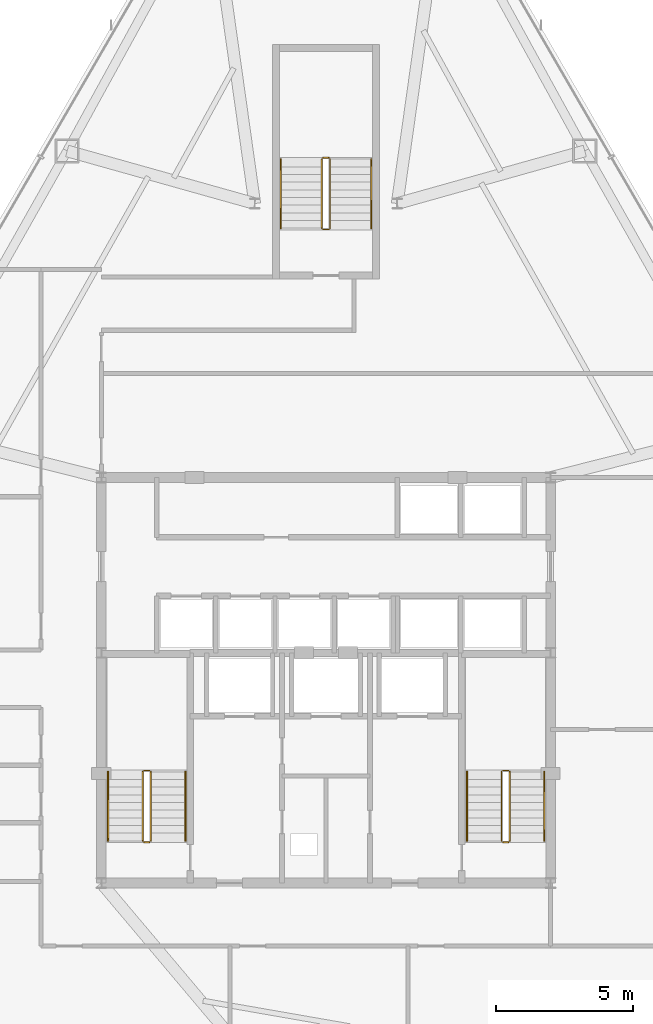
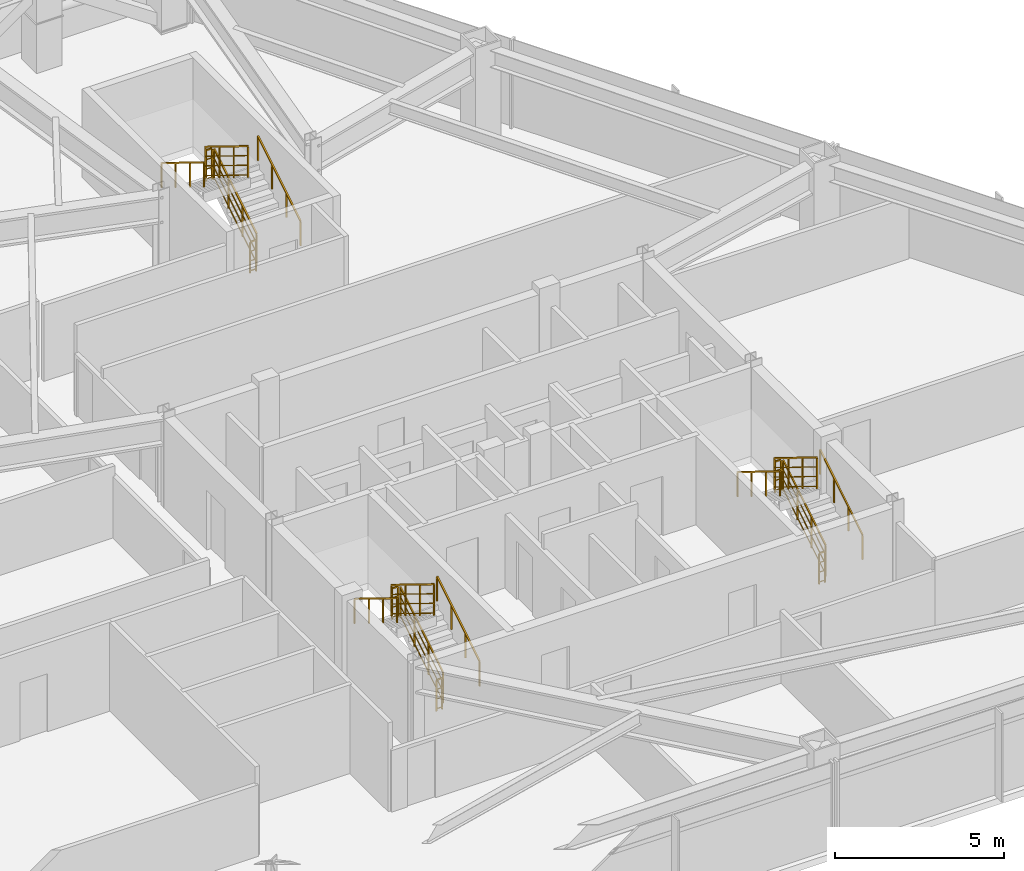
# One storey, part 13 of 13: 18 railings.
"""IFC4 building model written with IfcOpenShell, lengths in metres."""

from ifc_helpers import new_model, si_unit, direction, frame, origin, origin_2d, place, context, subcontext, project, spatial, rectangle, extrude, material, type_object, element, save


model = new_model("IFC4")

# Units and contexts
model_context = context("Model", 3, precision=1e-05, world=origin(), true_north=direction((0.0, 1.0)))
body_context = subcontext(model_context, "Body", "Model", "MODEL_VIEW")
ifc_project = project(units=[si_unit("LENGTHUNIT", "METRE"), si_unit("AREAUNIT", "SQUARE_METRE"), si_unit("VOLUMEUNIT", "CUBIC_METRE"), si_unit("PLANEANGLEUNIT", "RADIAN"), si_unit("MASSUNIT", "GRAM", prefix="KILO")], contexts=[model_context])

# Site, building, storey
site_placement = place(None, origin())
site = spatial("IfcSite", under=ifc_project, at=site_placement, CompositionType="ELEMENT")
building_placement = place(site_placement, origin())
building = spatial("IfcBuilding", under=site, at=building_placement, Name="Varakhsha Concourse Tower", CompositionType="ELEMENT")
storey_placement = place(building_placement, frame((0.0, 0.0, 126.35009765625)))
storey = spatial("IfcBuildingStorey", under=building, at=storey_placement, Name="L36", CompositionType="ELEMENT", Elevation=126.35009765625)

# Railings
ifc_material = material(Name="Brushed Austenitic Stainless Steel AISI 316", Category="steel")
railing_type_1 = type_object("IfcRailingType", Name="RL-STAIR-GUARD-1100", PredefinedType="GUARDRAIL", material=ifc_material)
railing_1_placement = place(storey_placement, frame((33.610107421875, 17.93994140625, 0.17236328125)))
element("IfcRailing", 1, at=railing_1_placement, inside=storey, type_object=railing_type_1, Name="L36 ST1 stair guard 1", PredefinedType="GUARDRAIL", context=body_context, shape_type="SweptSolid", body=[
    extrude(rectangle(XDim=0.048095703125, YDim=0.048095703125, at=origin_2d()), frame((0.0, 0.0, 1.1259765625), z_axis=(0.0, 0.851400495292, 0.524516154772), x_axis=(-1.0, 0.0, 0.0)), (0.0, 0.0, 1.0), 2.9599609375),
    extrude(rectangle(XDim=0.028076171875, YDim=0.028076171875, at=origin_2d()), frame((0.0, 0.0, 0.080078125), z_axis=(0.0, 0.851400495292, 0.524516154772), x_axis=(-1.0, 0.0, 0.0)), (0.0, 0.0, 1.0), 2.9599609375),
    extrude(rectangle(XDim=0.028076171875, YDim=0.028076171875, at=origin_2d()), frame((0.0, 0.0, 0.43701171875), z_axis=(0.0, 0.851400495292, 0.524516154772), x_axis=(-1.0, 0.0, 0.0)), (0.0, 0.0, 1.0), 2.9599609375),
    extrude(rectangle(XDim=0.028076171875, YDim=0.028076171875, at=origin_2d()), frame((0.0, 0.0, 0.781982421875), z_axis=(0.0, 0.851400495292, 0.524516154772), x_axis=(-1.0, 0.0, 0.0)), (0.0, 0.0, 1.0), 2.9599609375),
    extrude(rectangle(XDim=0.0419921875, YDim=0.0419921875, at=origin_2d()), origin(), (0.0, 0.0, 1.0), 1.101806640625),
    extrude(rectangle(XDim=0.0419921875, YDim=0.0419921875, at=origin_2d()), frame((0.0, 0.840087890625, 0.517578125)), (0.0, 0.0, 1.0), 1.101806640625),
    extrude(rectangle(XDim=0.0419921875, YDim=0.0419921875, at=origin_2d()), frame((0.0, 1.679931640625, 1.034912109375)), (0.0, 0.0, 1.0), 1.101806640625),
    extrude(rectangle(XDim=0.0419921875, YDim=0.0419921875, at=origin_2d()), frame((0.0, 2.52001953125, 1.552490234375)), (0.0, 0.0, 1.0), 1.101806640625),
])
railing_2_placement = place(storey_placement, frame((33.56005859375, 20.510009765625, 1.724853515625)))
element("IfcRailing", 2, at=railing_2_placement, inside=storey, type_object=railing_type_1, Name="L36 ST1 stair guard 2", PredefinedType="GUARDRAIL", context=body_context, shape_type="SweptSolid", body=[
    extrude(rectangle(XDim=0.048095703125, YDim=0.048095703125, at=origin_2d()), frame((0.0, 0.0, 1.1259765625), z_axis=(-1.0, 0.0, 0.0), x_axis=(0.0, -1.0, 0.0)), (0.0, 0.0, 1.0), 0.199951171875),
    extrude(rectangle(XDim=0.028076171875, YDim=0.028076171875, at=origin_2d()), frame((0.0, 0.0, 0.080078125), z_axis=(-1.0, 0.0, 0.0), x_axis=(0.0, -1.0, 0.0)), (0.0, 0.0, 1.0), 0.199951171875),
    extrude(rectangle(XDim=0.028076171875, YDim=0.028076171875, at=origin_2d()), frame((0.0, 0.0, 0.43701171875), z_axis=(-1.0, 0.0, 0.0), x_axis=(0.0, -1.0, 0.0)), (0.0, 0.0, 1.0), 0.199951171875),
    extrude(rectangle(XDim=0.028076171875, YDim=0.028076171875, at=origin_2d()), frame((0.0, 0.0, 0.781982421875), z_axis=(-1.0, 0.0, 0.0), x_axis=(0.0, -1.0, 0.0)), (0.0, 0.0, 1.0), 0.199951171875),
    extrude(rectangle(XDim=0.0419921875, YDim=0.0419921875, at=origin_2d()), origin(), (0.0, 0.0, 1.0), 1.101806640625),
    extrude(rectangle(XDim=0.0419921875, YDim=0.0419921875, at=origin_2d()), frame((-0.199951171875, 0.0, 0.0)), (0.0, 0.0, 1.0), 1.101806640625),
])
railing_3_placement = place(storey_placement, frame((33.31005859375, 20.4599609375, 1.8974609375)))
element("IfcRailing", 3, at=railing_3_placement, inside=storey, type_object=railing_type_1, Name="L36 ST1 stair guard 3", PredefinedType="GUARDRAIL", context=body_context, shape_type="SweptSolid", body=[
    extrude(rectangle(XDim=0.048095703125, YDim=0.048095703125, at=origin_2d()), frame((0.0, 0.0, 1.1259765625), z_axis=(0.0, -0.851400495292, 0.524516154772), x_axis=(1.0, 0.0, 0.0)), (0.0, 0.0, 1.0), 2.9599609375),
    extrude(rectangle(XDim=0.028076171875, YDim=0.028076171875, at=origin_2d()), frame((0.0, 0.0, 0.080078125), z_axis=(0.0, -0.851400495292, 0.524516154772), x_axis=(1.0, 0.0, 0.0)), (0.0, 0.0, 1.0), 2.9599609375),
    extrude(rectangle(XDim=0.028076171875, YDim=0.028076171875, at=origin_2d()), frame((0.0, 0.0, 0.43701171875), z_axis=(0.0, -0.851400495292, 0.524516154772), x_axis=(1.0, 0.0, 0.0)), (0.0, 0.0, 1.0), 2.9599609375),
    extrude(rectangle(XDim=0.028076171875, YDim=0.028076171875, at=origin_2d()), frame((0.0, 0.0, 0.781982421875), z_axis=(0.0, -0.851400495292, 0.524516154772), x_axis=(1.0, 0.0, 0.0)), (0.0, 0.0, 1.0), 2.9599609375),
    extrude(rectangle(XDim=0.0419921875, YDim=0.0419921875, at=origin_2d()), origin(), (0.0, 0.0, 1.0), 1.101806640625),
    extrude(rectangle(XDim=0.0419921875, YDim=0.0419921875, at=origin_2d()), frame((0.0, -0.840087890625, 0.517578125)), (0.0, 0.0, 1.0), 1.101806640625),
    extrude(rectangle(XDim=0.0419921875, YDim=0.0419921875, at=origin_2d()), frame((0.0, -1.679931640625, 1.034912109375)), (0.0, 0.0, 1.0), 1.101806640625),
    extrude(rectangle(XDim=0.0419921875, YDim=0.0419921875, at=origin_2d()), frame((0.0, -2.52001953125, 1.552490234375)), (0.0, 0.0, 1.0), 1.101806640625),
])
railing_4_placement = place(storey_placement, frame((33.56005859375, 17.889892578125, 0.0)))
element("IfcRailing", 4, at=railing_4_placement, inside=storey, type_object=railing_type_1, Name="L36 ST1 stair guard 4", PredefinedType="GUARDRAIL", context=body_context, shape_type="SweptSolid", body=[
    extrude(rectangle(XDim=0.048095703125, YDim=0.048095703125, at=origin_2d()), frame((0.0, 0.0, 1.1259765625), z_axis=(-1.0, 0.0, 0.0), x_axis=(0.0, -1.0, 0.0)), (0.0, 0.0, 1.0), 0.199951171875),
    extrude(rectangle(XDim=0.028076171875, YDim=0.028076171875, at=origin_2d()), frame((0.0, 0.0, 0.080078125), z_axis=(-1.0, 0.0, 0.0), x_axis=(0.0, -1.0, 0.0)), (0.0, 0.0, 1.0), 0.199951171875),
    extrude(rectangle(XDim=0.028076171875, YDim=0.028076171875, at=origin_2d()), frame((0.0, 0.0, 0.43701171875), z_axis=(-1.0, 0.0, 0.0), x_axis=(0.0, -1.0, 0.0)), (0.0, 0.0, 1.0), 0.199951171875),
    extrude(rectangle(XDim=0.028076171875, YDim=0.028076171875, at=origin_2d()), frame((0.0, 0.0, 0.781982421875), z_axis=(-1.0, 0.0, 0.0), x_axis=(0.0, -1.0, 0.0)), (0.0, 0.0, 1.0), 0.199951171875),
    extrude(rectangle(XDim=0.0419921875, YDim=0.0419921875, at=origin_2d()), origin(), (0.0, 0.0, 1.0), 1.101806640625),
    extrude(rectangle(XDim=0.0419921875, YDim=0.0419921875, at=origin_2d()), frame((-0.199951171875, 0.0, 0.0)), (0.0, 0.0, 1.0), 1.101806640625),
])
railing_5_placement = place(storey_placement, frame((46.7099609375, 17.93994140625, 0.17236328125)))
element("IfcRailing", 5, at=railing_5_placement, inside=storey, type_object=railing_type_1, Name="L36 ST2 stair guard 1", PredefinedType="GUARDRAIL", context=body_context, shape_type="SweptSolid", body=[
    extrude(rectangle(XDim=0.048095703125, YDim=0.048095703125, at=origin_2d()), frame((0.0, 0.0, 1.1259765625), z_axis=(0.0, 0.851400495292, 0.524516154772), x_axis=(-1.0, 0.0, 0.0)), (0.0, 0.0, 1.0), 2.9599609375),
    extrude(rectangle(XDim=0.028076171875, YDim=0.028076171875, at=origin_2d()), frame((0.0, 0.0, 0.080078125), z_axis=(0.0, 0.851400495292, 0.524516154772), x_axis=(-1.0, 0.0, 0.0)), (0.0, 0.0, 1.0), 2.9599609375),
    extrude(rectangle(XDim=0.028076171875, YDim=0.028076171875, at=origin_2d()), frame((0.0, 0.0, 0.43701171875), z_axis=(0.0, 0.851400495292, 0.524516154772), x_axis=(-1.0, 0.0, 0.0)), (0.0, 0.0, 1.0), 2.9599609375),
    extrude(rectangle(XDim=0.028076171875, YDim=0.028076171875, at=origin_2d()), frame((0.0, 0.0, 0.781982421875), z_axis=(0.0, 0.851400495292, 0.524516154772), x_axis=(-1.0, 0.0, 0.0)), (0.0, 0.0, 1.0), 2.9599609375),
    extrude(rectangle(XDim=0.0419921875, YDim=0.0419921875, at=origin_2d()), origin(), (0.0, 0.0, 1.0), 1.101806640625),
    extrude(rectangle(XDim=0.0419921875, YDim=0.0419921875, at=origin_2d()), frame((0.0, 0.840087890625, 0.517578125)), (0.0, 0.0, 1.0), 1.101806640625),
    extrude(rectangle(XDim=0.0419921875, YDim=0.0419921875, at=origin_2d()), frame((0.0, 1.679931640625, 1.034912109375)), (0.0, 0.0, 1.0), 1.101806640625),
    extrude(rectangle(XDim=0.0419921875, YDim=0.0419921875, at=origin_2d()), frame((0.0, 2.52001953125, 1.552490234375)), (0.0, 0.0, 1.0), 1.101806640625),
])
railing_6_placement = place(storey_placement, frame((46.659912109375, 20.510009765625, 1.724853515625)))
element("IfcRailing", 6, at=railing_6_placement, inside=storey, type_object=railing_type_1, Name="L36 ST2 stair guard 2", PredefinedType="GUARDRAIL", context=body_context, shape_type="SweptSolid", body=[
    extrude(rectangle(XDim=0.048095703125, YDim=0.048095703125, at=origin_2d()), frame((0.0, 0.0, 1.1259765625), z_axis=(-1.0, 0.0, 0.0), x_axis=(0.0, -1.0, 0.0)), (0.0, 0.0, 1.0), 0.199951171875),
    extrude(rectangle(XDim=0.028076171875, YDim=0.028076171875, at=origin_2d()), frame((0.0, 0.0, 0.080078125), z_axis=(-1.0, 0.0, 0.0), x_axis=(0.0, -1.0, 0.0)), (0.0, 0.0, 1.0), 0.199951171875),
    extrude(rectangle(XDim=0.028076171875, YDim=0.028076171875, at=origin_2d()), frame((0.0, 0.0, 0.43701171875), z_axis=(-1.0, 0.0, 0.0), x_axis=(0.0, -1.0, 0.0)), (0.0, 0.0, 1.0), 0.199951171875),
    extrude(rectangle(XDim=0.028076171875, YDim=0.028076171875, at=origin_2d()), frame((0.0, 0.0, 0.781982421875), z_axis=(-1.0, 0.0, 0.0), x_axis=(0.0, -1.0, 0.0)), (0.0, 0.0, 1.0), 0.199951171875),
    extrude(rectangle(XDim=0.0419921875, YDim=0.0419921875, at=origin_2d()), origin(), (0.0, 0.0, 1.0), 1.101806640625),
    extrude(rectangle(XDim=0.0419921875, YDim=0.0419921875, at=origin_2d()), frame((-0.199951171875, 0.0, 0.0)), (0.0, 0.0, 1.0), 1.101806640625),
])
railing_7_placement = place(storey_placement, frame((46.409912109375, 20.4599609375, 1.8974609375)))
element("IfcRailing", 7, at=railing_7_placement, inside=storey, type_object=railing_type_1, Name="L36 ST2 stair guard 3", PredefinedType="GUARDRAIL", context=body_context, shape_type="SweptSolid", body=[
    extrude(rectangle(XDim=0.048095703125, YDim=0.048095703125, at=origin_2d()), frame((0.0, 0.0, 1.1259765625), z_axis=(0.0, -0.851400495292, 0.524516154772), x_axis=(1.0, 0.0, 0.0)), (0.0, 0.0, 1.0), 2.9599609375),
    extrude(rectangle(XDim=0.028076171875, YDim=0.028076171875, at=origin_2d()), frame((0.0, 0.0, 0.080078125), z_axis=(0.0, -0.851400495292, 0.524516154772), x_axis=(1.0, 0.0, 0.0)), (0.0, 0.0, 1.0), 2.9599609375),
    extrude(rectangle(XDim=0.028076171875, YDim=0.028076171875, at=origin_2d()), frame((0.0, 0.0, 0.43701171875), z_axis=(0.0, -0.851400495292, 0.524516154772), x_axis=(1.0, 0.0, 0.0)), (0.0, 0.0, 1.0), 2.9599609375),
    extrude(rectangle(XDim=0.028076171875, YDim=0.028076171875, at=origin_2d()), frame((0.0, 0.0, 0.781982421875), z_axis=(0.0, -0.851400495292, 0.524516154772), x_axis=(1.0, 0.0, 0.0)), (0.0, 0.0, 1.0), 2.9599609375),
    extrude(rectangle(XDim=0.0419921875, YDim=0.0419921875, at=origin_2d()), origin(), (0.0, 0.0, 1.0), 1.101806640625),
    extrude(rectangle(XDim=0.0419921875, YDim=0.0419921875, at=origin_2d()), frame((0.0, -0.840087890625, 0.517578125)), (0.0, 0.0, 1.0), 1.101806640625),
    extrude(rectangle(XDim=0.0419921875, YDim=0.0419921875, at=origin_2d()), frame((0.0, -1.679931640625, 1.034912109375)), (0.0, 0.0, 1.0), 1.101806640625),
    extrude(rectangle(XDim=0.0419921875, YDim=0.0419921875, at=origin_2d()), frame((0.0, -2.52001953125, 1.552490234375)), (0.0, 0.0, 1.0), 1.101806640625),
])
railing_8_placement = place(storey_placement, frame((46.659912109375, 17.889892578125, 0.0)))
element("IfcRailing", 8, at=railing_8_placement, inside=storey, type_object=railing_type_1, Name="L36 ST2 stair guard 4", PredefinedType="GUARDRAIL", context=body_context, shape_type="SweptSolid", body=[
    extrude(rectangle(XDim=0.048095703125, YDim=0.048095703125, at=origin_2d()), frame((0.0, 0.0, 1.1259765625), z_axis=(-1.0, 0.0, 0.0), x_axis=(0.0, -1.0, 0.0)), (0.0, 0.0, 1.0), 0.199951171875),
    extrude(rectangle(XDim=0.028076171875, YDim=0.028076171875, at=origin_2d()), frame((0.0, 0.0, 0.080078125), z_axis=(-1.0, 0.0, 0.0), x_axis=(0.0, -1.0, 0.0)), (0.0, 0.0, 1.0), 0.199951171875),
    extrude(rectangle(XDim=0.028076171875, YDim=0.028076171875, at=origin_2d()), frame((0.0, 0.0, 0.43701171875), z_axis=(-1.0, 0.0, 0.0), x_axis=(0.0, -1.0, 0.0)), (0.0, 0.0, 1.0), 0.199951171875),
    extrude(rectangle(XDim=0.028076171875, YDim=0.028076171875, at=origin_2d()), frame((0.0, 0.0, 0.781982421875), z_axis=(-1.0, 0.0, 0.0), x_axis=(0.0, -1.0, 0.0)), (0.0, 0.0, 1.0), 0.199951171875),
    extrude(rectangle(XDim=0.0419921875, YDim=0.0419921875, at=origin_2d()), origin(), (0.0, 0.0, 1.0), 1.101806640625),
    extrude(rectangle(XDim=0.0419921875, YDim=0.0419921875, at=origin_2d()), frame((-0.199951171875, 0.0, 0.0)), (0.0, 0.0, 1.0), 1.101806640625),
])
railing_9_placement = place(storey_placement, frame((40.14990234375, 40.300048828125, 0.17236328125)))
element("IfcRailing", 9, at=railing_9_placement, inside=storey, type_object=railing_type_1, Name="L36 ST5 stair guard 1", PredefinedType="GUARDRAIL", context=body_context, shape_type="SweptSolid", body=[
    extrude(rectangle(XDim=0.048095703125, YDim=0.048095703125, at=origin_2d()), frame((0.0, 0.0, 1.1259765625), z_axis=(0.0, 0.851400495292, 0.524516154772), x_axis=(-1.0, 0.0, 0.0)), (0.0, 0.0, 1.0), 2.9599609375),
    extrude(rectangle(XDim=0.028076171875, YDim=0.028076171875, at=origin_2d()), frame((0.0, 0.0, 0.080078125), z_axis=(0.0, 0.851400495292, 0.524516154772), x_axis=(-1.0, 0.0, 0.0)), (0.0, 0.0, 1.0), 2.9599609375),
    extrude(rectangle(XDim=0.028076171875, YDim=0.028076171875, at=origin_2d()), frame((0.0, 0.0, 0.43701171875), z_axis=(0.0, 0.851400495292, 0.524516154772), x_axis=(-1.0, 0.0, 0.0)), (0.0, 0.0, 1.0), 2.9599609375),
    extrude(rectangle(XDim=0.028076171875, YDim=0.028076171875, at=origin_2d()), frame((0.0, 0.0, 0.781982421875), z_axis=(0.0, 0.851400495292, 0.524516154772), x_axis=(-1.0, 0.0, 0.0)), (0.0, 0.0, 1.0), 2.9599609375),
    extrude(rectangle(XDim=0.0419921875, YDim=0.0419921875, at=origin_2d()), origin(), (0.0, 0.0, 1.0), 1.101806640625),
    extrude(rectangle(XDim=0.0419921875, YDim=0.0419921875, at=origin_2d()), frame((0.0, 0.840087890625, 0.517578125)), (0.0, 0.0, 1.0), 1.101806640625),
    extrude(rectangle(XDim=0.0419921875, YDim=0.0419921875, at=origin_2d()), frame((0.0, 1.679931640625, 1.034912109375)), (0.0, 0.0, 1.0), 1.101806640625),
    extrude(rectangle(XDim=0.0419921875, YDim=0.0419921875, at=origin_2d()), frame((0.0, 2.52001953125, 1.552490234375)), (0.0, 0.0, 1.0), 1.101806640625),
])
railing_10_placement = place(storey_placement, frame((40.10009765625, 42.8701171875, 1.724853515625)))
element("IfcRailing", 10, at=railing_10_placement, inside=storey, type_object=railing_type_1, Name="L36 ST5 stair guard 2", PredefinedType="GUARDRAIL", context=body_context, shape_type="SweptSolid", body=[
    extrude(rectangle(XDim=0.048095703125, YDim=0.048095703125, at=origin_2d()), frame((0.0, 0.0, 1.1259765625), z_axis=(-1.0, 0.0, 0.0), x_axis=(0.0, -1.0, 0.0)), (0.0, 0.0, 1.0), 0.2001953125),
    extrude(rectangle(XDim=0.028076171875, YDim=0.028076171875, at=origin_2d()), frame((0.0, 0.0, 0.080078125), z_axis=(-1.0, 0.0, 0.0), x_axis=(0.0, -1.0, 0.0)), (0.0, 0.0, 1.0), 0.2001953125),
    extrude(rectangle(XDim=0.028076171875, YDim=0.028076171875, at=origin_2d()), frame((0.0, 0.0, 0.43701171875), z_axis=(-1.0, 0.0, 0.0), x_axis=(0.0, -1.0, 0.0)), (0.0, 0.0, 1.0), 0.2001953125),
    extrude(rectangle(XDim=0.028076171875, YDim=0.028076171875, at=origin_2d()), frame((0.0, 0.0, 0.781982421875), z_axis=(-1.0, 0.0, 0.0), x_axis=(0.0, -1.0, 0.0)), (0.0, 0.0, 1.0), 0.2001953125),
    extrude(rectangle(XDim=0.0419921875, YDim=0.0419921875, at=origin_2d()), origin(), (0.0, 0.0, 1.0), 1.101806640625),
    extrude(rectangle(XDim=0.0419921875, YDim=0.0419921875, at=origin_2d()), frame((-0.2001953125, 0.0, 0.0)), (0.0, 0.0, 1.0), 1.101806640625),
])
railing_11_placement = place(storey_placement, frame((39.85009765625, 42.820068359375, 1.8974609375)))
element("IfcRailing", 11, at=railing_11_placement, inside=storey, type_object=railing_type_1, Name="L36 ST5 stair guard 3", PredefinedType="GUARDRAIL", context=body_context, shape_type="SweptSolid", body=[
    extrude(rectangle(XDim=0.048095703125, YDim=0.048095703125, at=origin_2d()), frame((0.0, 0.0, 1.1259765625), z_axis=(0.0, -0.851400495292, 0.524516154772), x_axis=(1.0, 0.0, 0.0)), (0.0, 0.0, 1.0), 2.9599609375),
    extrude(rectangle(XDim=0.028076171875, YDim=0.028076171875, at=origin_2d()), frame((0.0, 0.0, 0.080078125), z_axis=(0.0, -0.851400495292, 0.524516154772), x_axis=(1.0, 0.0, 0.0)), (0.0, 0.0, 1.0), 2.9599609375),
    extrude(rectangle(XDim=0.028076171875, YDim=0.028076171875, at=origin_2d()), frame((0.0, 0.0, 0.43701171875), z_axis=(0.0, -0.851400495292, 0.524516154772), x_axis=(1.0, 0.0, 0.0)), (0.0, 0.0, 1.0), 2.9599609375),
    extrude(rectangle(XDim=0.028076171875, YDim=0.028076171875, at=origin_2d()), frame((0.0, 0.0, 0.781982421875), z_axis=(0.0, -0.851400495292, 0.524516154772), x_axis=(1.0, 0.0, 0.0)), (0.0, 0.0, 1.0), 2.9599609375),
    extrude(rectangle(XDim=0.0419921875, YDim=0.0419921875, at=origin_2d()), origin(), (0.0, 0.0, 1.0), 1.101806640625),
    extrude(rectangle(XDim=0.0419921875, YDim=0.0419921875, at=origin_2d()), frame((0.0, -0.840087890625, 0.517578125)), (0.0, 0.0, 1.0), 1.101806640625),
    extrude(rectangle(XDim=0.0419921875, YDim=0.0419921875, at=origin_2d()), frame((0.0, -1.679931640625, 1.034912109375)), (0.0, 0.0, 1.0), 1.101806640625),
    extrude(rectangle(XDim=0.0419921875, YDim=0.0419921875, at=origin_2d()), frame((0.0, -2.52001953125, 1.552490234375)), (0.0, 0.0, 1.0), 1.101806640625),
])
railing_12_placement = place(storey_placement, frame((40.10009765625, 40.25, 0.0)))
element("IfcRailing", 12, at=railing_12_placement, inside=storey, type_object=railing_type_1, Name="L36 ST5 stair guard 4", PredefinedType="GUARDRAIL", context=body_context, shape_type="SweptSolid", body=[
    extrude(rectangle(XDim=0.048095703125, YDim=0.048095703125, at=origin_2d()), frame((0.0, 0.0, 1.1259765625), z_axis=(-1.0, 0.0, 0.0), x_axis=(0.0, -1.0, 0.0)), (0.0, 0.0, 1.0), 0.2001953125),
    extrude(rectangle(XDim=0.028076171875, YDim=0.028076171875, at=origin_2d()), frame((0.0, 0.0, 0.080078125), z_axis=(-1.0, 0.0, 0.0), x_axis=(0.0, -1.0, 0.0)), (0.0, 0.0, 1.0), 0.2001953125),
    extrude(rectangle(XDim=0.028076171875, YDim=0.028076171875, at=origin_2d()), frame((0.0, 0.0, 0.43701171875), z_axis=(-1.0, 0.0, 0.0), x_axis=(0.0, -1.0, 0.0)), (0.0, 0.0, 1.0), 0.2001953125),
    extrude(rectangle(XDim=0.028076171875, YDim=0.028076171875, at=origin_2d()), frame((0.0, 0.0, 0.781982421875), z_axis=(-1.0, 0.0, 0.0), x_axis=(0.0, -1.0, 0.0)), (0.0, 0.0, 1.0), 0.2001953125),
    extrude(rectangle(XDim=0.0419921875, YDim=0.0419921875, at=origin_2d()), origin(), (0.0, 0.0, 1.0), 1.101806640625),
    extrude(rectangle(XDim=0.0419921875, YDim=0.0419921875, at=origin_2d()), frame((-0.2001953125, 0.0, 0.0)), (0.0, 0.0, 1.0), 1.101806640625),
])
railing_type_2 = type_object("IfcRailingType", Name="RL-STAIR-RAIL-915", PredefinedType="HANDRAIL", material=ifc_material)
railing_13_placement = place(storey_placement, frame((34.8701171875, 17.93994140625, 0.344970703125)))
element("IfcRailing", 13, at=railing_13_placement, inside=storey, type_object=railing_type_2, Name="L36 ST1 stair handrail 1", PredefinedType="HANDRAIL", context=body_context, shape_type="SweptSolid", body=[
    extrude(rectangle(XDim=0.048095703125, YDim=0.048095703125, at=origin_2d()), frame((0.0, 0.0, 0.89111328125), z_axis=(0.0, 0.851400495292, 0.524516154772), x_axis=(-1.0, 0.0, 0.0)), (0.0, 0.0, 1.0), 2.9599609375),
    extrude(rectangle(XDim=0.0419921875, YDim=0.0419921875, at=origin_2d()), origin(), (0.0, 0.0, 1.0), 0.866943359375),
    extrude(rectangle(XDim=0.0419921875, YDim=0.0419921875, at=origin_2d()), frame((0.0, 0.840087890625, 0.517578125)), (0.0, 0.0, 1.0), 0.866943359375),
    extrude(rectangle(XDim=0.0419921875, YDim=0.0419921875, at=origin_2d()), frame((0.0, 1.679931640625, 1.034912109375)), (0.0, 0.0, 1.0), 0.866943359375),
    extrude(rectangle(XDim=0.0419921875, YDim=0.0419921875, at=origin_2d()), frame((0.0, 2.52001953125, 1.552490234375)), (0.0, 0.0, 1.0), 0.866943359375),
])
railing_14_placement = place(storey_placement, frame((32.050048828125, 20.4599609375, 2.06982421875)))
element("IfcRailing", 14, at=railing_14_placement, inside=storey, type_object=railing_type_2, Name="L36 ST1 stair handrail 2", PredefinedType="HANDRAIL", context=body_context, shape_type="SweptSolid", body=[
    extrude(rectangle(XDim=0.048095703125, YDim=0.048095703125, at=origin_2d()), frame((0.0, 0.0, 0.89111328125), z_axis=(0.0, -0.851400495292, 0.524516154772), x_axis=(1.0, 0.0, 0.0)), (0.0, 0.0, 1.0), 2.9599609375),
    extrude(rectangle(XDim=0.0419921875, YDim=0.0419921875, at=origin_2d()), origin(), (0.0, 0.0, 1.0), 0.866943359375),
    extrude(rectangle(XDim=0.0419921875, YDim=0.0419921875, at=origin_2d()), frame((0.0, -0.840087890625, 0.517578125)), (0.0, 0.0, 1.0), 0.866943359375),
    extrude(rectangle(XDim=0.0419921875, YDim=0.0419921875, at=origin_2d()), frame((0.0, -1.679931640625, 1.034912109375)), (0.0, 0.0, 1.0), 0.866943359375),
    extrude(rectangle(XDim=0.0419921875, YDim=0.0419921875, at=origin_2d()), frame((0.0, -2.52001953125, 1.552490234375)), (0.0, 0.0, 1.0), 0.866943359375),
])
railing_15_placement = place(storey_placement, frame((47.969970703125, 17.93994140625, 0.344970703125)))
element("IfcRailing", 15, at=railing_15_placement, inside=storey, type_object=railing_type_2, Name="L36 ST2 stair handrail 1", PredefinedType="HANDRAIL", context=body_context, shape_type="SweptSolid", body=[
    extrude(rectangle(XDim=0.048095703125, YDim=0.048095703125, at=origin_2d()), frame((0.0, 0.0, 0.89111328125), z_axis=(0.0, 0.851400495292, 0.524516154772), x_axis=(-1.0, 0.0, 0.0)), (0.0, 0.0, 1.0), 2.9599609375),
    extrude(rectangle(XDim=0.0419921875, YDim=0.0419921875, at=origin_2d()), origin(), (0.0, 0.0, 1.0), 0.866943359375),
    extrude(rectangle(XDim=0.0419921875, YDim=0.0419921875, at=origin_2d()), frame((0.0, 0.840087890625, 0.517578125)), (0.0, 0.0, 1.0), 0.866943359375),
    extrude(rectangle(XDim=0.0419921875, YDim=0.0419921875, at=origin_2d()), frame((0.0, 1.679931640625, 1.034912109375)), (0.0, 0.0, 1.0), 0.866943359375),
    extrude(rectangle(XDim=0.0419921875, YDim=0.0419921875, at=origin_2d()), frame((0.0, 2.52001953125, 1.552490234375)), (0.0, 0.0, 1.0), 0.866943359375),
])
railing_16_placement = place(storey_placement, frame((45.14990234375, 20.4599609375, 2.06982421875)))
element("IfcRailing", 16, at=railing_16_placement, inside=storey, type_object=railing_type_2, Name="L36 ST2 stair handrail 2", PredefinedType="HANDRAIL", context=body_context, shape_type="SweptSolid", body=[
    extrude(rectangle(XDim=0.048095703125, YDim=0.048095703125, at=origin_2d()), frame((0.0, 0.0, 0.89111328125), z_axis=(0.0, -0.851400495292, 0.524516154772), x_axis=(1.0, 0.0, 0.0)), (0.0, 0.0, 1.0), 2.9599609375),
    extrude(rectangle(XDim=0.0419921875, YDim=0.0419921875, at=origin_2d()), origin(), (0.0, 0.0, 1.0), 0.866943359375),
    extrude(rectangle(XDim=0.0419921875, YDim=0.0419921875, at=origin_2d()), frame((0.0, -0.840087890625, 0.517578125)), (0.0, 0.0, 1.0), 0.866943359375),
    extrude(rectangle(XDim=0.0419921875, YDim=0.0419921875, at=origin_2d()), frame((0.0, -1.679931640625, 1.034912109375)), (0.0, 0.0, 1.0), 0.866943359375),
    extrude(rectangle(XDim=0.0419921875, YDim=0.0419921875, at=origin_2d()), frame((0.0, -2.52001953125, 1.552490234375)), (0.0, 0.0, 1.0), 0.866943359375),
])
railing_17_placement = place(storey_placement, frame((41.64990234375, 40.300048828125, 0.344970703125)))
element("IfcRailing", 17, at=railing_17_placement, inside=storey, type_object=railing_type_2, Name="L36 ST5 stair handrail 1", PredefinedType="HANDRAIL", context=body_context, shape_type="SweptSolid", body=[
    extrude(rectangle(XDim=0.048095703125, YDim=0.048095703125, at=origin_2d()), frame((0.0, 0.0, 0.89111328125), z_axis=(0.0, 0.851400495292, 0.524516154772), x_axis=(-1.0, 0.0, 0.0)), (0.0, 0.0, 1.0), 2.9599609375),
    extrude(rectangle(XDim=0.0419921875, YDim=0.0419921875, at=origin_2d()), origin(), (0.0, 0.0, 1.0), 0.866943359375),
    extrude(rectangle(XDim=0.0419921875, YDim=0.0419921875, at=origin_2d()), frame((0.0, 0.840087890625, 0.517578125)), (0.0, 0.0, 1.0), 0.866943359375),
    extrude(rectangle(XDim=0.0419921875, YDim=0.0419921875, at=origin_2d()), frame((0.0, 1.679931640625, 1.034912109375)), (0.0, 0.0, 1.0), 0.866943359375),
    extrude(rectangle(XDim=0.0419921875, YDim=0.0419921875, at=origin_2d()), frame((0.0, 2.52001953125, 1.552490234375)), (0.0, 0.0, 1.0), 0.866943359375),
])
railing_18_placement = place(storey_placement, frame((38.35009765625, 42.820068359375, 2.06982421875)))
element("IfcRailing", 18, at=railing_18_placement, inside=storey, type_object=railing_type_2, Name="L36 ST5 stair handrail 2", PredefinedType="HANDRAIL", context=body_context, shape_type="SweptSolid", body=[
    extrude(rectangle(XDim=0.048095703125, YDim=0.048095703125, at=origin_2d()), frame((0.0, 0.0, 0.89111328125), z_axis=(0.0, -0.851400495292, 0.524516154772), x_axis=(1.0, 0.0, 0.0)), (0.0, 0.0, 1.0), 2.9599609375),
    extrude(rectangle(XDim=0.0419921875, YDim=0.0419921875, at=origin_2d()), origin(), (0.0, 0.0, 1.0), 0.866943359375),
    extrude(rectangle(XDim=0.0419921875, YDim=0.0419921875, at=origin_2d()), frame((0.0, -0.840087890625, 0.517578125)), (0.0, 0.0, 1.0), 0.866943359375),
    extrude(rectangle(XDim=0.0419921875, YDim=0.0419921875, at=origin_2d()), frame((0.0, -1.679931640625, 1.034912109375)), (0.0, 0.0, 1.0), 0.866943359375),
    extrude(rectangle(XDim=0.0419921875, YDim=0.0419921875, at=origin_2d()), frame((0.0, -2.52001953125, 1.552490234375)), (0.0, 0.0, 1.0), 0.866943359375),
])

save(model, "model.ifc")
